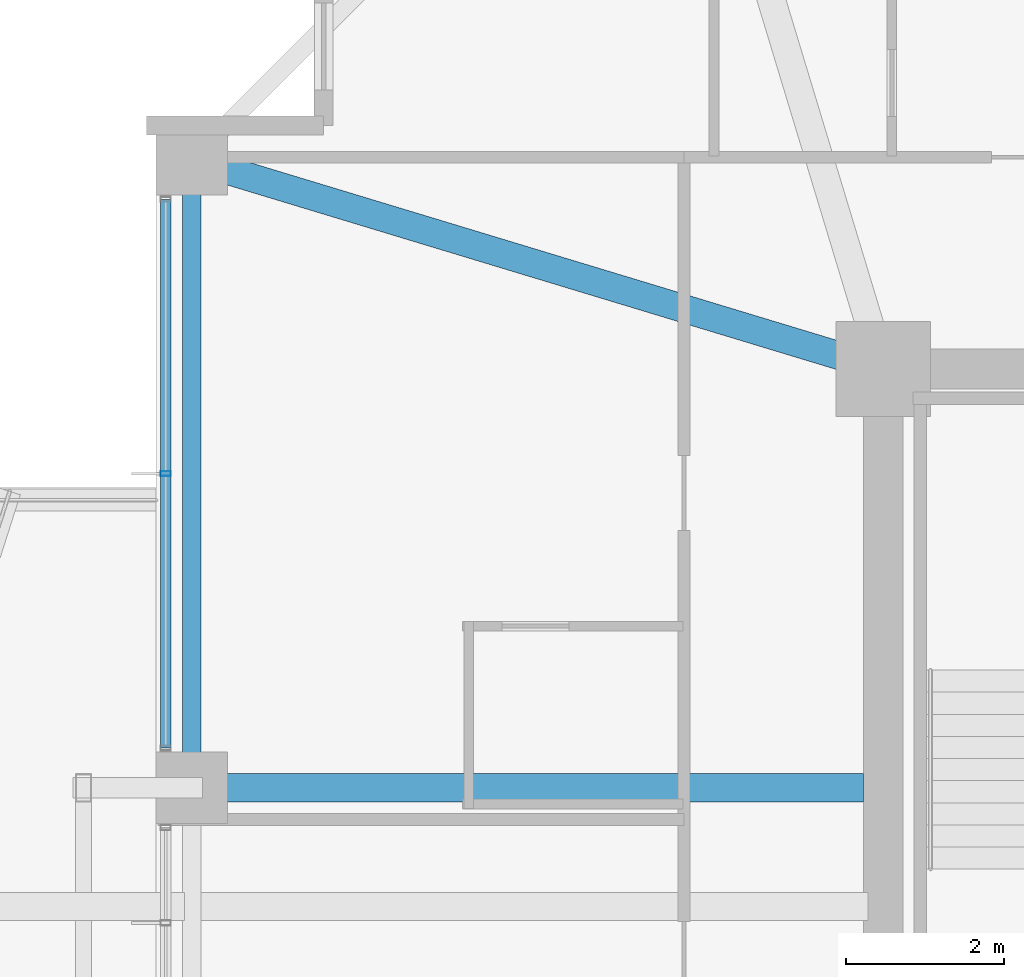
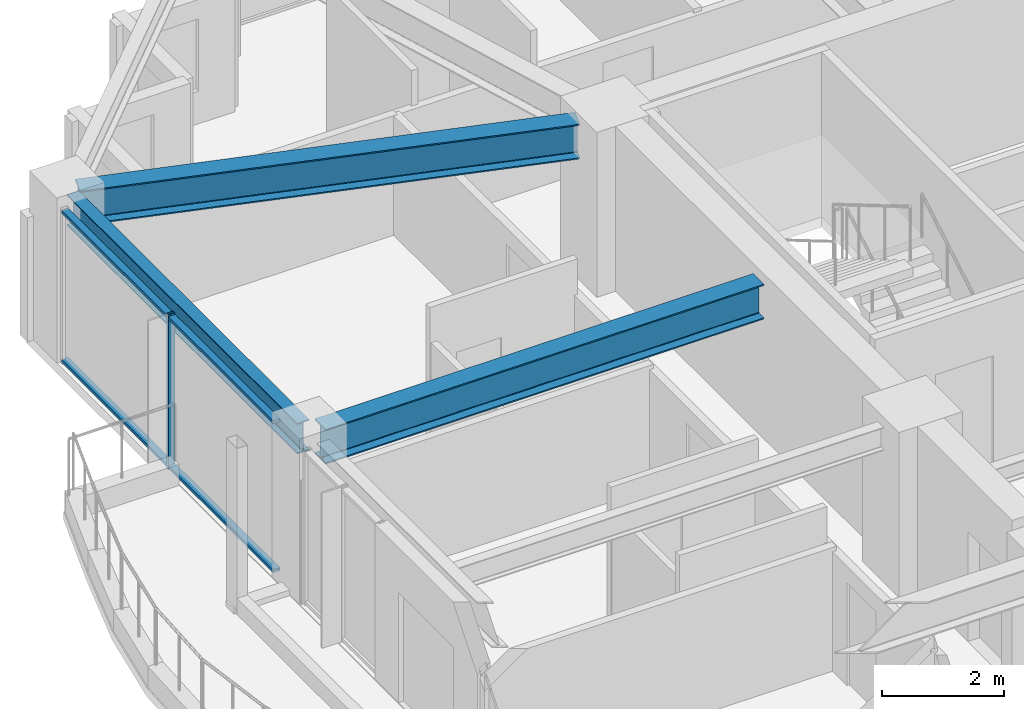
# One storey, part 12 of 37: 3 beams, 3 members, 1 element without a shape of its own.
"""IFC4 building model written with IfcOpenShell, lengths in metres."""

from ifc_helpers import new_model, si_unit, direction, frame, origin, origin_2d, place, context, subcontext, project, spatial, hollow_rectangle, i_section, extrude, material, material_profile, profile_set, type_object, element, aggregate, save


model = new_model("IFC4")

# Units and contexts
model_context = context("Model", 3, precision=1e-05, world=origin(), true_north=direction((0.0, 1.0)))
body_context = subcontext(model_context, "Body", "Model", "MODEL_VIEW")
ifc_project = project(units=[si_unit("LENGTHUNIT", "METRE"), si_unit("AREAUNIT", "SQUARE_METRE"), si_unit("VOLUMEUNIT", "CUBIC_METRE"), si_unit("PLANEANGLEUNIT", "RADIAN"), si_unit("MASSUNIT", "GRAM", prefix="KILO")], contexts=[model_context])

# Site, building, storey
site_placement = place(None, origin())
site = spatial("IfcSite", under=ifc_project, at=site_placement, CompositionType="ELEMENT")
building_placement = place(site_placement, origin())
building = spatial("IfcBuilding", under=site, at=building_placement, Name="Kolvaren Belvedere", CompositionType="ELEMENT")
storey_placement = place(building_placement, frame((0.0, 0.0, 156.89990234375)))
storey = spatial("IfcBuildingStorey", under=building, at=storey_placement, Name="L45", CompositionType="ELEMENT", Elevation=156.89990234375)

# Beams
ifc_material_1 = material(Name="Structural steel ASTM A992 Grade 50", Category="steel")
ifc_material_profile_1 = material_profile(ifc_material_1, i_section(OverallWidth=0.35498046875, OverallDepth=0.696044921875, WebThickness=0.015380859375, FlangeThickness=0.02490234375, FilletRadius=0.02197265625, at=origin_2d()), Name="W27X146")
ifc_profile_set_1 = profile_set([ifc_material_profile_1], Name="Structural steel ASTM A992 Grade 50")
beam_type_1 = type_object("IfcBeamType", Name="BM-GIRD-W27X146", PredefinedType="BEAM", material=ifc_profile_set_1)
beam_1_placement = place(storey_placement, frame((-10.14990234375, 4.60009765625, 2.752197265625), z_axis=(-1.0, 0.0, 0.0), x_axis=(0.0, -1.0, 0.0)))
element("IfcBeam", 1, at=beam_1_placement, inside=storey, type_object=beam_type_1, Name="L45 West Radial Girder P", PredefinedType="BEAM", context=body_context, shape_type="SweptSolid", body=[
    extrude(i_section(OverallWidth=0.35498046875, OverallDepth=0.696044921875, WebThickness=0.015380859375, FlangeThickness=0.02490234375, FilletRadius=0.02197265625, at=origin_2d()), origin(), (0.0, 0.0, 1.0), 8.297607421875),
])
beam_2_placement = place(storey_placement, frame((-10.426513671875, 10.059326171875, 2.752197265625), z_axis=(-0.957067352423, 0.289865629086, 0.0), x_axis=(-0.289865629086, -0.957067352423, 0.0)))
element("IfcBeam", 2, at=beam_2_placement, inside=storey, type_object=beam_type_1, Name="L45 Corner Core-to-Perimeter Girder CC4-W4", PredefinedType="BEAM", context=body_context, shape_type="SweptSolid", body=[
    extrude(i_section(OverallWidth=0.35498046875, OverallDepth=0.696044921875, WebThickness=0.015380859375, FlangeThickness=0.02490234375, FilletRadius=0.02197265625, at=origin_2d()), origin(), (0.0, 0.0, 1.0), 8.412353515625),
])
ifc_material_2 = material(Name="Structural steel ASTM A992 Grade 50", Category="steel")
ifc_material_profile_2 = material_profile(ifc_material_2, i_section(OverallWidth=0.22900390625, OverallDepth=0.612060546875, WebThickness=0.011962890625, FlangeThickness=0.01953125, FilletRadius=0.01806640625, at=origin_2d()), Name="W24X84")
ifc_profile_set_2 = profile_set([ifc_material_profile_2], Name="Structural steel ASTM A992 Grade 50")
beam_type_2 = type_object("IfcBeamType", Name="BM-SPAN-W24X84", PredefinedType="SPANDREL", material=ifc_profile_set_2)
beam_3_placement = place(storey_placement, frame((-18.64990234375, 12.347412109375, 2.794189453125), z_axis=(0.0, -1.0, 0.0), x_axis=(1.0, 0.0, 0.0)))
element("IfcBeam", 3, at=beam_3_placement, inside=storey, type_object=beam_type_2, Name="L45 Perimeter Spandrel W4-W3", PredefinedType="SPANDREL", context=body_context, shape_type="SweptSolid", body=[
    extrude(i_section(OverallWidth=0.22900390625, OverallDepth=0.612060546875, WebThickness=0.011962890625, FlangeThickness=0.01953125, FilletRadius=0.01806640625, at=origin_2d()), origin(), (0.0, 0.0, 1.0), 7.544921875),
])

# Curtain wall, members
ifc_material_3 = material(Name="Anodised pale-metal aluminium AA 6063-T6", Category="aluminium")
curtain_wall_type = type_object("IfcCurtainWallType", Name="CW-Z3-WAIST", PredefinedType="NOTDEFINED", material=ifc_material_3)
curtain_wall_placement = place(storey_placement, origin())
curtain_wall = element("IfcCurtainWall", 4, at=curtain_wall_placement, inside=storey, type_object=curtain_wall_type, Name="L45 Unitised Curtain Wall FCW-L45-W2-B2", PredefinedType="NOTDEFINED")
ifc_material_4 = material(Name="Anodised pale-metal aluminium AA 6063-T6", Category="aluminium")
ifc_material_profile_3 = material_profile(ifc_material_4, hollow_rectangle(XDim=0.06494140625, YDim=0.1298828125, WallThickness=0.00390625, at=origin_2d()), Name="ALU-MUL-130X65")
ifc_profile_set_3 = profile_set([ifc_material_profile_3], Name="Anodised pale-metal aluminium AA 6063-T6")
member_type_1 = type_object("IfcMemberType", Name="CW-MUL-130", PredefinedType="MULLION", material=ifc_profile_set_3)
member_1_placement = place(storey_placement, frame((-18.97998046875, 8.574951171875, 0.0), z_axis=(0.0, 0.0, 1.0), x_axis=(0.0, 1.0, 0.0)))
member_1 = element("IfcMember", 5, at=member_1_placement, type_object=member_type_1, Name="FCW-L45-W2-B2 Unitised Mullion 2", PredefinedType="MULLION", context=body_context, shape_type="SweptSolid", body=[
    extrude(hollow_rectangle(XDim=0.06494140625, YDim=0.1298828125, WallThickness=0.00390625, at=origin_2d()), origin(), (0.0, 0.0, 1.0), 3.10009765625),
])
ifc_material_5 = material(Name="Anodised pale-metal aluminium AA 6063-T6", Category="aluminium")
ifc_material_profile_4 = material_profile(ifc_material_5, hollow_rectangle(XDim=0.06005859375, YDim=0.1298828125, WallThickness=0.00390625, at=origin_2d()), Name="ALU-TRN-130X60")
ifc_profile_set_4 = profile_set([ifc_material_profile_4], Name="Anodised pale-metal aluminium AA 6063-T6")
member_type_2 = type_object("IfcMemberType", Name="CW-TRN-130", PredefinedType="USERDEFINED", material=ifc_profile_set_4)
member_2_placement = place(storey_placement, frame((-18.97998046875, 5.1025390625, 0.06005859375), z_axis=(0.0, 1.0, 0.0), x_axis=(0.0, 0.0, 1.0)))
member_2 = element("IfcMember", 6, at=member_2_placement, type_object=member_type_2, Name="FCW-L45-W2-B2 Sill Transom", ObjectType="TRANSOM", PredefinedType="USERDEFINED", context=body_context, shape_type="SweptSolid", body=[
    extrude(hollow_rectangle(XDim=0.06005859375, YDim=0.1298828125, WallThickness=0.00390625, at=origin_2d()), origin(), (0.0, 0.0, 1.0), 6.945068359375),
])
member_3_placement = place(storey_placement, frame((-18.97998046875, 5.1025390625, 3.0400390625), z_axis=(0.0, 1.0, 0.0), x_axis=(0.0, 0.0, 1.0)))
member_3 = element("IfcMember", 7, at=member_3_placement, type_object=member_type_2, Name="FCW-L45-W2-B2 Head Transom", ObjectType="TRANSOM", PredefinedType="USERDEFINED", context=body_context, shape_type="SweptSolid", body=[
    extrude(hollow_rectangle(XDim=0.06005859375, YDim=0.1298828125, WallThickness=0.00390625, at=origin_2d()), origin(), (0.0, 0.0, 1.0), 6.945068359375),
])
aggregate(curtain_wall, [member_1, member_2, member_3])

save(model, "model.ifc")
